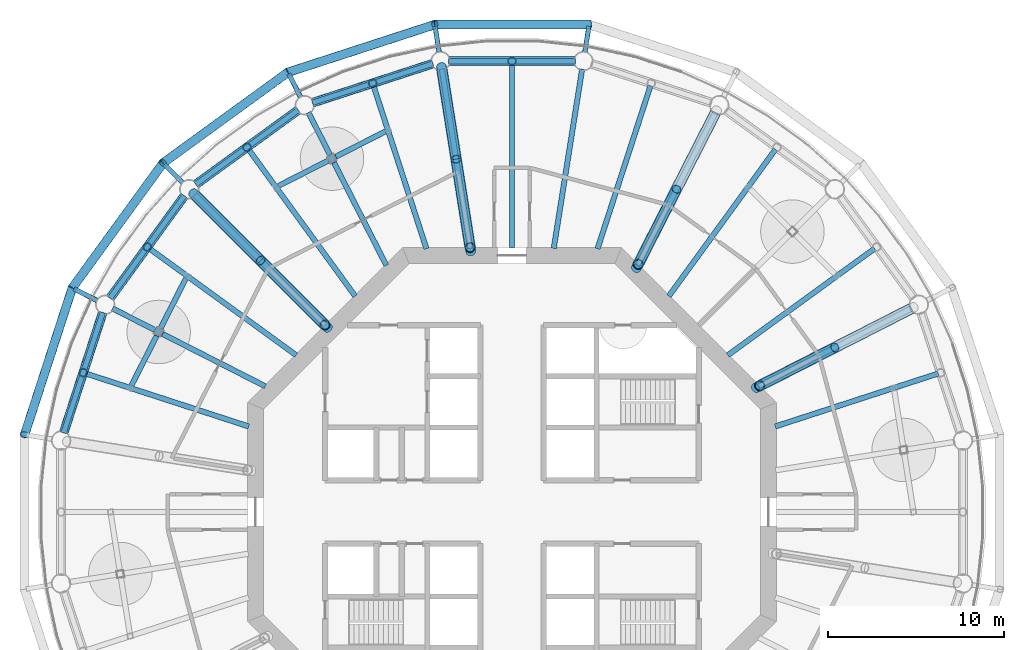
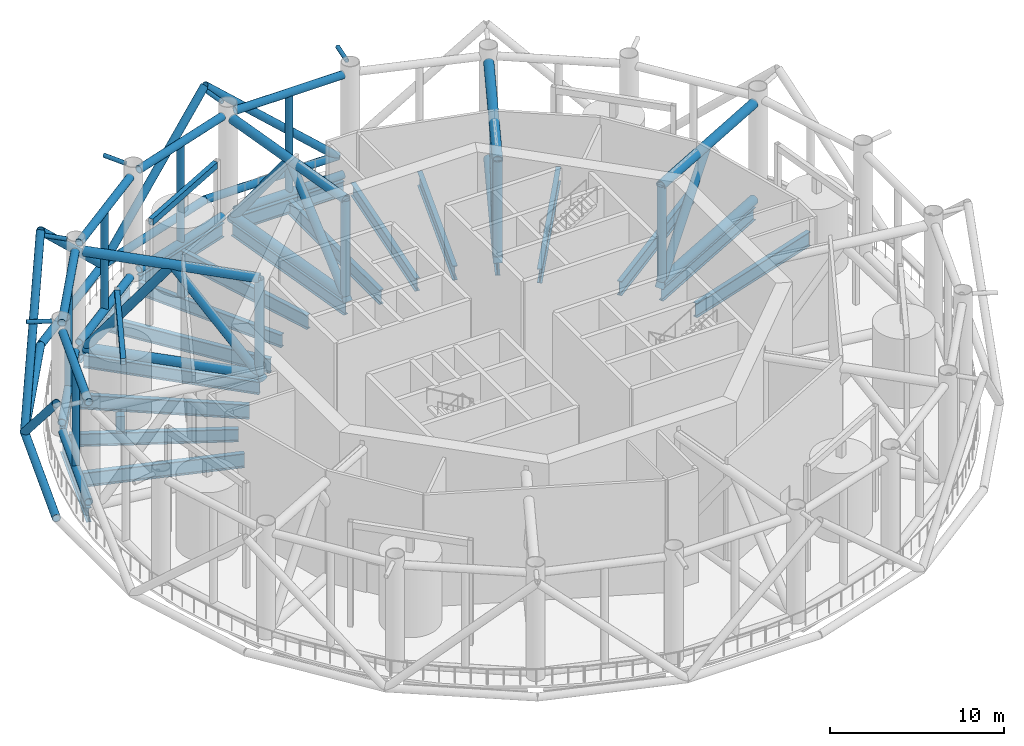
# One storey, part 9 of 22: 50 members, 23 beams.
"""IFC4 building model written with IfcOpenShell, lengths in metres."""

from ifc_helpers import new_model, si_unit, direction, frame, origin, origin_2d, place, context, subcontext, project, spatial, rectangle, hollow_rectangle, circle, hollow_circle, i_section, extrude, material, material_profile, profile_set, type_object, element, save


model = new_model("IFC4")

# Units and contexts
model_context = context("Model", 3, precision=1e-05, world=origin(), true_north=direction((0.0, 1.0)))
body_context = subcontext(model_context, "Body", "Model", "MODEL_VIEW")
ifc_project = project(units=[si_unit("LENGTHUNIT", "METRE"), si_unit("AREAUNIT", "SQUARE_METRE"), si_unit("VOLUMEUNIT", "CUBIC_METRE"), si_unit("PLANEANGLEUNIT", "RADIAN"), si_unit("MASSUNIT", "GRAM", prefix="KILO")], contexts=[model_context])

# Site, building, storey
site_placement = place(None, origin())
site = spatial("IfcSite", under=ifc_project, at=site_placement, CompositionType="ELEMENT")
building_placement = place(site_placement, origin())
building = spatial("IfcBuilding", under=site, at=building_placement, Name="Entoto Ring Tower", CompositionType="ELEMENT")
storey_placement = place(building_placement, frame((0.0, 0.0, 230.0)))
storey = spatial("IfcBuildingStorey", under=building, at=storey_placement, Name="L53", CompositionType="ELEMENT", Elevation=230.0)

# Members
ifc_material_1 = material(Name="Steel S355", Category="steel")
ifc_material_profile_1 = material_profile(ifc_material_1, hollow_circle(Radius=0.25390625, WallThickness=0.02490234375, at=origin_2d()), Name="CHS 508 x 25")
ifc_material_2 = material(Name="Concrete C60/75", Category="concrete")
ifc_material_profile_2 = material_profile(ifc_material_2, circle(Radius=0.22900390625, at=origin_2d()), Name="Concrete C60/75 infill")
ifc_profile_set_1 = profile_set([ifc_material_profile_1, ifc_material_profile_2], Name="Steel S355")
member_type_1 = type_object("IfcMemberType", Name="Diagrid diagonal 508 x 25 concrete-filled tube", PredefinedType="BRACE", material=ifc_profile_set_1)
for number, where, z_axis, x_axis, name in (
    (1, (94.380126953125, 107.6552734375, 0.0), (-0.738422225603, 0.0, 0.674338651373), (0.0, -1.0, 0.0), "DG5 module 17 06"),
    (2, (77.288330078125, 104.9482421875, 0.0), (0.702283739289, 0.228181506805, 0.674337266865), (-0.309011711991, 0.95105823263, 0.0), "DG5 module 17 07"),
    (3, (77.288330078125, 104.9482421875, 0.0), (-0.597406930213, -0.434030642959, 0.674331046821), (0.587775592458, -0.809024012567, 0.0), "DG5 module 17 08"),
    (4, (65.0517578125, 92.711669921875, 0.0), (0.434030642959, 0.597406930213, 0.674331046821), (-0.809024012567, 0.587775592458, 0.0), "DG5 module 17 09"),
    (5, (65.0517578125, 92.711669921875, 0.0), (-0.228181506805, -0.702283739289, 0.674337266865), (0.95105823263, -0.309011711991, 0.0), "DG5 module 17 10"),
):
    element("IfcMember", number, at=place(storey_placement, frame(where, z_axis=z_axis, x_axis=x_axis)), inside=storey, type_object=member_type_1, Name=name, PredefinedType="BRACE", context=body_context, shape_type="SweptSolid", body=[
        extrude(hollow_circle(Radius=0.25390625, WallThickness=0.02490234375, at=origin_2d()), origin(), (0.0, 0.0, 1.0), 11.863525390625),
    ])
ifc_material_3 = material(Name="Steel S355", Category="steel")
ifc_material_profile_3 = material_profile(ifc_material_3, hollow_circle(Radius=0.136474609375, WallThickness=0.012451171875, at=origin_2d()), Name="CHS 273 x 12.5")
ifc_material_4 = material(Name="Concrete C60/75", Category="concrete")
ifc_material_profile_4 = material_profile(ifc_material_4, circle(Radius=0.1240234375, at=origin_2d()), Name="Concrete C60/75 infill")
ifc_profile_set_2 = profile_set([ifc_material_profile_3, ifc_material_profile_4], Name="Steel S355")
member_type_2 = type_object("IfcMemberType", Name="Diagrid node strut 273 x 12.5", PredefinedType="STRUT", material=ifc_profile_set_2)
for number, where, z_axis, x_axis, name in (
    (6, (94.1318359375, 106.087646484375, 7.71337890625), (0.156459963354, 0.987684301722, 0.0), (-0.987684301722, 0.156459963354, 0.0), "DS2 strut ring 17 04"),
    (7, (85.8681640625, 106.087646484375, 7.71337890625), (-0.156459963354, 0.987684301722, 0.0), (-0.987684301722, -0.156459963354, 0.0), "DS2 strut ring 17 05"),
):
    element("IfcMember", number, at=place(storey_placement, frame(where, z_axis=z_axis, x_axis=x_axis)), inside=storey, type_object=member_type_2, Name=name, PredefinedType="STRUT", context=body_context, shape_type="SweptSolid", body=[
        extrude(hollow_circle(Radius=0.136474609375, WallThickness=0.012451171875, at=origin_2d()), origin(), (0.0, 0.0, 1.0), 1.487060546875),
    ])
for number, where, z_axis, x_axis, name in (
    (8, (78.0087890625, 103.533935546875, 7.71337890625), (-0.453898730756, 0.891053276869, 0.0), (-0.891053276869, -0.453898730756, 0.0), "DS2 strut ring 17 06"),
    (9, (71.323486328125, 98.676513671875, 7.71337890625), (-0.707106781187, 0.707106781187, 0.0), (-0.707106781187, -0.707106781187, 0.0), "DS2 strut ring 17 07"),
    (10, (66.466064453125, 91.9912109375, 7.71337890625), (-0.891053276869, 0.453898730756, 0.0), (-0.453898730756, -0.891053276869, 0.0), "DS2 strut ring 17 08"),
):
    element("IfcMember", number, at=place(storey_placement, frame(where, z_axis=z_axis, x_axis=x_axis)), inside=storey, type_object=member_type_2, Name=name, PredefinedType="STRUT", context=body_context, shape_type="SweptSolid", body=[
        extrude(hollow_circle(Radius=0.136474609375, WallThickness=0.012451171875, at=origin_2d()), origin(), (0.0, 0.0, 1.0), 1.4873046875),
    ])
ifc_material_5 = material(Name="Steel S355", Category="steel")
ifc_material_profile_5 = material_profile(ifc_material_5, hollow_circle(Radius=0.25390625, WallThickness=0.030029296875, at=origin_2d()), Name="CHS 508 x 30")
ifc_material_6 = material(Name="Concrete C60/75", Category="concrete")
ifc_material_profile_6 = material_profile(ifc_material_6, circle(Radius=0.22412109375, at=origin_2d()), Name="Concrete C60/75 infill")
ifc_profile_set_3 = profile_set([ifc_material_profile_5, ifc_material_profile_6], Name="Steel S355")
member_type_3 = type_object("IfcMemberType", Name="Diagrid ring beam 508 x 30", PredefinedType="CHORD", material=ifc_profile_set_3)
member_1_placement = place(storey_placement, frame((94.4404296875, 107.6552734375, 0.0), z_axis=(-1.0, 0.0, 0.0), x_axis=(0.0, -1.0, 0.0)))
element("IfcMember", 11, at=member_1_placement, inside=storey, type_object=member_type_3, Name="DR2 ring 16 05", PredefinedType="CHORD", context=body_context, shape_type="SweptSolid", body=[
    extrude(hollow_circle(Radius=0.25390625, WallThickness=0.030029296875, at=origin_2d()), origin(), (0.0, 0.0, 1.0), 8.880859375),
])
for number, where, z_axis, x_axis, name in (
    (12, (85.677001953125, 107.673828125, 0.0), (-0.951061338755, -0.309002151976, 0.0), (0.309002151976, -0.951061338755, 0.0), "DR2 ring 16 06"),
    (13, (77.3369140625, 104.983642578125, 0.0), (-0.809012987705, -0.587790766961, 0.0), (0.587790766961, -0.809012987705, 0.0), "DR2 ring 16 07"),
    (14, (70.236328125, 99.84765625, 0.0), (-0.587790766961, -0.809012987705, 0.0), (0.809012987705, -0.587790766961, 0.0), "DR2 ring 16 08"),
    (15, (65.0703125, 92.76904296875, 0.0), (-0.309002151976, -0.951061338755, 0.0), (0.951061338755, -0.309002151976, 0.0), "DR2 ring 16 09"),
):
    element("IfcMember", number, at=place(storey_placement, frame(where, z_axis=z_axis, x_axis=x_axis)), inside=storey, type_object=member_type_3, Name=name, PredefinedType="CHORD", context=body_context, shape_type="SweptSolid", body=[
        extrude(hollow_circle(Radius=0.25390625, WallThickness=0.030029296875, at=origin_2d()), origin(), (0.0, 0.0, 1.0), 8.880615234375),
    ])

# Beams
ifc_material_7 = material(Name="Steel S355", Category="steel")
ifc_material_profile_7 = material_profile(ifc_material_7, i_section(OverallWidth=0.300048828125, OverallDepth=1.0, WebThickness=0.01904296875, FlangeThickness=0.035888671875, FilletRadius=0.030029296875, at=origin_2d()), Name="HE 1000 B")
ifc_profile_set_4 = profile_set([ifc_material_profile_7], Name="Steel S355")
beam_type_1 = type_object("IfcBeamType", Name="Edge beam HE 1000 B", PredefinedType="SPANDREL", material=ifc_profile_set_4)
for number, where, z_axis, x_axis, name in (
    (16, (93.5947265625, 105.5810546875, -0.64990234375), (-1.0, 0.0, 0.0), (0.0, -1.0, 0.0), "Edge beam L53 05"),
    (17, (85.513916015625, 105.43994140625, -0.64990234375), (-0.951056775099, -0.309016197858, 0.0), (0.309016197858, -0.951056775099, 0.0), "Edge beam L53 06"),
):
    element("IfcBeam", number, at=place(storey_placement, frame(where, z_axis=z_axis, x_axis=x_axis)), inside=storey, type_object=beam_type_1, Name=name, PredefinedType="SPANDREL", context=body_context, shape_type="SweptSolid", body=[
        extrude(i_section(OverallWidth=0.300048828125, OverallDepth=1.0, WebThickness=0.01904296875, FlangeThickness=0.035888671875, FilletRadius=0.030029296875, at=origin_2d()), origin(), (0.0, 0.0, 1.0), 7.189453125),
    ])
for number, where, z_axis, x_axis, name in (
    (18, (77.8720703125, 102.80859375, -0.64990234375), (-0.809003255445, -0.587804161843, 0.0), (0.587804161843, -0.809003255445, 0.0), "Edge beam L53 07"),
    (19, (71.41748046875, 97.9443359375, -0.64990234375), (-0.587804161843, -0.809003255445, 0.0), (0.809003255445, -0.587804161843, 0.0), "Edge beam L53 08"),
):
    element("IfcBeam", number, at=place(storey_placement, frame(where, z_axis=z_axis, x_axis=x_axis)), inside=storey, type_object=beam_type_1, Name=name, PredefinedType="SPANDREL", context=body_context, shape_type="SweptSolid", body=[
        extrude(i_section(OverallWidth=0.300048828125, OverallDepth=1.0, WebThickness=0.01904296875, FlangeThickness=0.035888671875, FilletRadius=0.030029296875, at=origin_2d()), origin(), (0.0, 0.0, 1.0), 7.189697265625),
    ])
beam_1_placement = place(storey_placement, frame((66.78173828125, 91.32373046875, -0.64990234375), z_axis=(-0.309016197858, -0.951056775099, 0.0), x_axis=(0.951056775099, -0.309016197858, 0.0)))
element("IfcBeam", 20, at=beam_1_placement, inside=storey, type_object=beam_type_1, Name="Edge beam L53 09", PredefinedType="SPANDREL", context=body_context, shape_type="SweptSolid", body=[
    extrude(i_section(OverallWidth=0.300048828125, OverallDepth=1.0, WebThickness=0.01904296875, FlangeThickness=0.035888671875, FilletRadius=0.030029296875, at=origin_2d()), origin(), (0.0, 0.0, 1.0), 7.189453125),
])

# Members
ifc_material_8 = material(Name="Steel S355", Category="steel")
ifc_material_profile_8 = material_profile(ifc_material_8, hollow_circle(Radius=0.304931640625, WallThickness=0.030029296875, at=origin_2d()), Name="CHS 610 x 30")
ifc_material_9 = material(Name="Concrete C60/75", Category="concrete")
ifc_material_profile_9 = material_profile(ifc_material_9, circle(Radius=0.27490234375, at=origin_2d()), Name="Concrete C60/75 infill")
ifc_profile_set_5 = profile_set([ifc_material_profile_8, ifc_material_profile_9], Name="Steel S355")
member_type_4 = type_object("IfcMemberType", Name="Outrigger chord 610 x 30", PredefinedType="CHORD", material=ifc_profile_set_5)
for number, where, z_axis, x_axis, name in (
    (21, (103.94677734375, 87.106201171875, 0.304931640625), (0.891006635857, 0.453990280577, 0.0), (-0.453990280577, 0.891006635857, 0.0), "OR1B L53 bottom 01"),
    (22, (103.94677734375, 87.106201171875, 7.044921875), (0.891006635857, 0.453990280577, 0.0), (-0.453990280577, 0.891006635857, 0.0), "OR1B L53 top 01"),
    (23, (97.106201171875, 93.94677734375, 0.304931640625), (0.453990280577, 0.891006635857, 0.0), (-0.891006635857, 0.453990280577, 0.0), "OR1B L53 bottom 02"),
    (24, (97.106201171875, 93.94677734375, 7.044921875), (0.453990280577, 0.891006635857, 0.0), (-0.891006635857, 0.453990280577, 0.0), "OR1B L53 top 02"),
):
    element("IfcMember", number, at=place(storey_placement, frame(where, z_axis=z_axis, x_axis=x_axis)), inside=storey, type_object=member_type_4, Name=name, PredefinedType="CHORD", context=body_context, shape_type="SweptSolid", body=[
        extrude(hollow_circle(Radius=0.304931640625, WallThickness=0.030029296875, at=origin_2d()), origin(), (0.0, 0.0, 1.0), 9.809326171875),
    ])
for number, where, z_axis, x_axis, name in (
    (25, (87.635009765625, 94.9326171875, 0.304931640625), (-0.156440099565, 0.987687448158, 0.0), (-0.987687448158, -0.156440099565, 0.0), "OR1B L53 bottom 03"),
    (26, (87.635009765625, 94.9326171875, 7.044921875), (-0.156440099565, 0.987687448158, 0.0), (-0.987687448158, -0.156440099565, 0.0), "OR1B L53 top 03"),
):
    element("IfcMember", number, at=place(storey_placement, frame(where, z_axis=z_axis, x_axis=x_axis)), inside=storey, type_object=member_type_4, Name=name, PredefinedType="CHORD", context=body_context, shape_type="SweptSolid", body=[
        extrude(hollow_circle(Radius=0.304931640625, WallThickness=0.030029296875, at=origin_2d()), origin(), (0.0, 0.0, 1.0), 10.34375),
    ])
for number, where, z_axis, x_axis, name in (
    (27, (79.407470703125, 90.592529296875, 0.304931640625), (-0.707106781187, 0.707106781187, 0.0), (-0.707106781187, -0.707106781187, 0.0), "OR1B L53 bottom 04"),
    (28, (79.407470703125, 90.592529296875, 7.044921875), (-0.707106781187, 0.707106781187, 0.0), (-0.707106781187, -0.707106781187, 0.0), "OR1B L53 top 04"),
):
    element("IfcMember", number, at=place(storey_placement, frame(where, z_axis=z_axis, x_axis=x_axis)), inside=storey, type_object=member_type_4, Name=name, PredefinedType="CHORD", context=body_context, shape_type="SweptSolid", body=[
        extrude(hollow_circle(Radius=0.304931640625, WallThickness=0.030029296875, at=origin_2d()), origin(), (0.0, 0.0, 1.0), 10.482421875),
    ])
ifc_material_10 = material(Name="Steel S355", Category="steel")
ifc_material_profile_10 = material_profile(ifc_material_10, hollow_circle(Radius=0.279541015625, WallThickness=0.031982421875, at=origin_2d()), Name="CHS 559 x 32")
ifc_material_11 = material(Name="Concrete C60/75", Category="concrete")
ifc_material_profile_11 = material_profile(ifc_material_11, circle(Radius=0.24755859375, at=origin_2d()), Name="Concrete C60/75 infill")
ifc_profile_set_6 = profile_set([ifc_material_profile_10, ifc_material_profile_11], Name="Steel S355")
member_type_5 = type_object("IfcMemberType", Name="Outrigger diagonal 559 x 32", PredefinedType="BRACE", material=ifc_profile_set_6)
for number, where, z_axis, x_axis, name in (
    (29, (103.825439453125, 87.04443359375, -0.05419921875), (0.516100988685, 0.262956397277, 0.815164831558), (-0.453976531921, 0.891013641009, 0.0), "OR2 L53 01 1"),
    (30, (97.04443359375, 93.825439453125, -0.05419921875), (0.262956397277, 0.516100988685, 0.815164831558), (-0.891013641009, 0.453976531921, 0.0), "OR2 L53 02 1"),
):
    element("IfcMember", number, at=place(storey_placement, frame(where, z_axis=z_axis, x_axis=x_axis)), inside=storey, type_object=member_type_5, Name=name, PredefinedType="BRACE", context=body_context, shape_type="SweptSolid", body=[
        extrude(hollow_circle(Radius=0.279541015625, WallThickness=0.031982421875, at=origin_2d()), origin(), (0.0, 0.0, 1.0), 8.708740234375),
    ])
member_2_placement = place(storey_placement, frame((87.66162109375, 94.763916015625, -0.01220703125), z_axis=(-0.094168980477, 0.594598798703, 0.79848886761), x_axis=(-0.987689936286, -0.156424389909, 0.0)))
element("IfcMember", 31, at=member_2_placement, inside=storey, type_object=member_type_5, Name="OR2 L53 03 1", PredefinedType="BRACE", context=body_context, shape_type="SweptSolid", body=[
    extrude(hollow_circle(Radius=0.279541015625, WallThickness=0.031982421875, at=origin_2d()), origin(), (0.0, 0.0, 1.0), 8.838134765625),
])
member_3_placement = place(storey_placement, frame((86.829345703125, 100.01904296875, 7.044921875), z_axis=(-0.094182599771, 0.594591587458, -0.798492631165), x_axis=(-0.987686147631, -0.156448310241, 0.0)))
element("IfcMember", 32, at=member_3_placement, inside=storey, type_object=member_type_5, Name="OR2 L53 03 2", PredefinedType="BRACE", context=body_context, shape_type="SweptSolid", body=[
    extrude(hollow_circle(Radius=0.279541015625, WallThickness=0.031982421875, at=origin_2d()), origin(), (0.0, 0.0, 1.0), 8.83154296875),
])
for number, where, z_axis, x_axis, name in (
    (33, (79.558837890625, 90.441162109375, 0.00048828125), (-0.430638135841, 0.430638135841, 0.793159247515), (-0.707106781187, -0.707106781187, 0.0), "OR2 L53 04 1"),
    (34, (75.734130859375, 94.265869140625, 7.044921875), (-0.430638135841, 0.430638135841, -0.793159247515), (-0.707106781187, -0.707106781187, 0.0), "OR2 L53 04 2"),
):
    element("IfcMember", number, at=place(storey_placement, frame(where, z_axis=z_axis, x_axis=x_axis)), inside=storey, type_object=member_type_5, Name=name, PredefinedType="BRACE", context=body_context, shape_type="SweptSolid", body=[
        extrude(hollow_circle(Radius=0.279541015625, WallThickness=0.031982421875, at=origin_2d()), origin(), (0.0, 0.0, 1.0), 8.881591796875),
    ])
ifc_material_12 = material(Name="Steel S355", Category="steel")
ifc_material_profile_12 = material_profile(ifc_material_12, hollow_circle(Radius=0.279541015625, WallThickness=0.031982421875, at=origin_2d()), Name="CHS 559 x 32")
ifc_material_13 = material(Name="Concrete C60/75", Category="concrete")
ifc_material_profile_13 = material_profile(ifc_material_13, circle(Radius=0.24755859375, at=origin_2d()), Name="Concrete C60/75 infill")
ifc_profile_set_7 = profile_set([ifc_material_profile_12, ifc_material_profile_13], Name="Steel S355")
member_type_6 = type_object("IfcMemberType", Name="Outrigger post 559 x 32", PredefinedType="POST", material=ifc_profile_set_7)
for number, where, z_axis, x_axis, name in (
    (35, (104.052978515625, 87.160400390625, 0.304931640625), (0.0, 0.0, 1.0), (1.0, 0.0, 0.0), "OR3A L53 01"),
    (36, (97.160400390625, 94.052978515625, 0.304931640625), (0.0, 0.0, 1.0), (1.0, 0.0, 0.0), "OR3A L53 02"),
    (37, (87.624267578125, 95.0, 0.304931640625), (0.0, 0.0, 1.0), (1.0, 0.0, 0.0), "OR3A L53 03"),
    (38, (79.393310546875, 90.606689453125, 0.304931640625), (0.0, 0.0, 1.0), (1.0, 0.0, 0.0), "OR3A L53 04"),
):
    element("IfcMember", number, at=place(storey_placement, frame(where, z_axis=z_axis, x_axis=x_axis)), inside=storey, type_object=member_type_6, Name=name, PredefinedType="POST", context=body_context, shape_type="SweptSolid", body=[
        extrude(hollow_circle(Radius=0.279541015625, WallThickness=0.031982421875, at=origin_2d()), origin(), (0.0, 0.0, 1.0), 6.739990234375),
    ])

# Beams
ifc_material_14 = material(Name="Steel S355", Category="steel")
ifc_material_profile_14 = material_profile(ifc_material_14, i_section(OverallWidth=0.300048828125, OverallDepth=0.89990234375, WebThickness=0.0185546875, FlangeThickness=0.034912109375, FilletRadius=0.030029296875, at=origin_2d()), Name="HE 900 B")
ifc_profile_set_8 = profile_set([ifc_material_profile_14], Name="Steel S355")
beam_type_2 = type_object("IfcBeamType", Name="Primary floor beam HE 900 B", PredefinedType="BEAM", material=ifc_profile_set_8)
for number, where, z_axis, x_axis, name in (
    (39, (103.99169921875, 87.129150390625, -0.60009765625), (0.891002383468, 0.453998626269, 0.0), (-0.453998626269, 0.891002383468, 0.0), "Primary L53 R02"),
    (40, (97.129150390625, 93.99169921875, -0.60009765625), (0.453998626269, 0.891002383468, 0.0), (-0.891002383468, 0.453998626269, 0.0), "Primary L53 R04"),
):
    element("IfcBeam", number, at=place(storey_placement, frame(where, z_axis=z_axis, x_axis=x_axis)), inside=storey, type_object=beam_type_2, Name=name, PredefinedType="BEAM", context=body_context, shape_type="SweptSolid", body=[
        extrude(i_section(OverallWidth=0.300048828125, OverallDepth=0.89990234375, WebThickness=0.0185546875, FlangeThickness=0.034912109375, FilletRadius=0.030029296875, at=origin_2d()), origin(), (0.0, 0.0, 1.0), 9.73974609375),
    ])
for number, where, z_axis, x_axis, name in (
    (41, (92.368896484375, 94.956787109375, -0.60009765625), (0.156440910745, 0.987687319674, 0.0), (-0.987687319674, 0.156440910745, 0.0), "Primary L53 R05"),
    (42, (87.631103515625, 94.956787109375, -0.60009765625), (-0.156440910745, 0.987687319674, 0.0), (-0.987687319674, -0.156440910745, 0.0), "Primary L53 R06"),
):
    element("IfcBeam", number, at=place(storey_placement, frame(where, z_axis=z_axis, x_axis=x_axis)), inside=storey, type_object=beam_type_2, Name=name, PredefinedType="BEAM", context=body_context, shape_type="SweptSolid", body=[
        extrude(i_section(OverallWidth=0.300048828125, OverallDepth=0.89990234375, WebThickness=0.0185546875, FlangeThickness=0.034912109375, FilletRadius=0.030029296875, at=origin_2d()), origin(), (0.0, 0.0, 1.0), 10.2998046875),
    ])
beam_2_placement = place(storey_placement, frame((82.870849609375, 93.99169921875, -0.60009765625), z_axis=(-0.453998626269, 0.891002383468, 0.0), x_axis=(-0.891002383468, -0.453998626269, 0.0)))
element("IfcBeam", 43, at=beam_2_placement, inside=storey, type_object=beam_type_2, Name="Primary L53 R07", PredefinedType="BEAM", context=body_context, shape_type="SweptSolid", body=[
    extrude(i_section(OverallWidth=0.300048828125, OverallDepth=0.89990234375, WebThickness=0.0185546875, FlangeThickness=0.034912109375, FilletRadius=0.030029296875, at=origin_2d()), origin(), (0.0, 0.0, 1.0), 9.73974609375),
])
beam_3_placement = place(storey_placement, frame((79.407470703125, 90.592529296875, -0.60009765625), z_axis=(-0.707106781187, 0.707106781187, 0.0), x_axis=(-0.707106781187, -0.707106781187, 0.0)))
element("IfcBeam", 44, at=beam_3_placement, inside=storey, type_object=beam_type_2, Name="Primary L53 R08", PredefinedType="BEAM", context=body_context, shape_type="SweptSolid", body=[
    extrude(i_section(OverallWidth=0.300048828125, OverallDepth=0.89990234375, WebThickness=0.0185546875, FlangeThickness=0.034912109375, FilletRadius=0.030029296875, at=origin_2d()), origin(), (0.0, 0.0, 1.0), 10.462890625),
])
beam_4_placement = place(storey_placement, frame((76.00830078125, 87.129150390625, -0.60009765625), z_axis=(-0.891002383468, 0.453998626269, 0.0), x_axis=(-0.453998626269, -0.891002383468, 0.0)))
element("IfcBeam", 45, at=beam_4_placement, inside=storey, type_object=beam_type_2, Name="Primary L53 R09", PredefinedType="BEAM", context=body_context, shape_type="SweptSolid", body=[
    extrude(i_section(OverallWidth=0.300048828125, OverallDepth=0.89990234375, WebThickness=0.0185546875, FlangeThickness=0.034912109375, FilletRadius=0.030029296875, at=origin_2d()), origin(), (0.0, 0.0, 1.0), 9.73974609375),
])

# Members
ifc_material_15 = material(Name="Steel S355", Category="steel")
ifc_material_profile_15 = material_profile(ifc_material_15, hollow_circle(Radius=0.25390625, WallThickness=0.030029296875, at=origin_2d()), Name="CHS 508 x 30")
ifc_material_16 = material(Name="Concrete C60/75", Category="concrete")
ifc_material_profile_16 = material_profile(ifc_material_16, circle(Radius=0.22412109375, at=origin_2d()), Name="Concrete C60/75 infill")
ifc_profile_set_9 = profile_set([ifc_material_profile_15, ifc_material_profile_16], Name="Steel S355")
member_type_7 = type_object("IfcMemberType", Name="Ring truss chord 508 x 30", PredefinedType="CHORD", material=ifc_profile_set_9)
for number, where, z_axis, x_axis, name in (
    (46, (93.583984375, 105.5810546875, 0.25390625), (-1.0, 0.0, 0.0), (0.0, -1.0, 0.0), "BT1 L53 bottom 05"),
    (47, (93.583984375, 105.5810546875, 7.236083984375), (-1.0, 0.0, 0.0), (0.0, -1.0, 0.0), "BT1 L53 top 05"),
):
    element("IfcMember", number, at=place(storey_placement, frame(where, z_axis=z_axis, x_axis=x_axis)), inside=storey, type_object=member_type_7, Name=name, PredefinedType="CHORD", context=body_context, shape_type="SweptSolid", body=[
        extrude(hollow_circle(Radius=0.25390625, WallThickness=0.030029296875, at=origin_2d()), origin(), (0.0, 0.0, 1.0), 7.16796875),
    ])
for number, where, z_axis, x_axis, name in (
    (48, (85.50341796875, 105.4365234375, 0.25390625), (-0.951060598025, -0.30900443182, 0.0), (0.30900443182, -0.951060598025, 0.0), "BT1 L53 bottom 06"),
    (49, (85.50341796875, 105.4365234375, 7.236083984375), (-0.951060598025, -0.30900443182, 0.0), (0.30900443182, -0.951060598025, 0.0), "BT1 L53 top 06"),
    (50, (77.86328125, 102.80224609375, 0.25390625), (-0.809014372494, -0.587788860985, 0.0), (0.587788860985, -0.809014372494, 0.0), "BT1 L53 bottom 07"),
    (51, (77.86328125, 102.80224609375, 7.236083984375), (-0.809014372494, -0.587788860985, 0.0), (0.587788860985, -0.809014372494, 0.0), "BT1 L53 top 07"),
    (52, (71.410888671875, 97.935546875, 0.25390625), (-0.587788860985, -0.809014372494, 0.0), (0.809014372494, -0.587788860985, 0.0), "BT1 L53 bottom 08"),
    (53, (71.410888671875, 97.935546875, 7.236083984375), (-0.587788860985, -0.809014372494, 0.0), (0.809014372494, -0.587788860985, 0.0), "BT1 L53 top 08"),
    (54, (66.7783203125, 91.3134765625, 0.25390625), (-0.30900443182, -0.951060598025, 0.0), (0.951060598025, -0.30900443182, 0.0), "BT1 L53 bottom 09"),
    (55, (66.7783203125, 91.3134765625, 7.236083984375), (-0.30900443182, -0.951060598025, 0.0), (0.951060598025, -0.30900443182, 0.0), "BT1 L53 top 09"),
):
    element("IfcMember", number, at=place(storey_placement, frame(where, z_axis=z_axis, x_axis=x_axis)), inside=storey, type_object=member_type_7, Name=name, PredefinedType="CHORD", context=body_context, shape_type="SweptSolid", body=[
        extrude(hollow_circle(Radius=0.25390625, WallThickness=0.030029296875, at=origin_2d()), origin(), (0.0, 0.0, 1.0), 7.167724609375),
    ])
ifc_material_17 = material(Name="Steel S355", Category="steel")
ifc_material_profile_17 = material_profile(ifc_material_17, hollow_circle(Radius=0.228515625, WallThickness=0.02001953125, at=origin_2d()), Name="CHS 457 x 20")
ifc_material_18 = material(Name="Concrete C60/75", Category="concrete")
ifc_material_profile_18 = material_profile(ifc_material_18, circle(Radius=0.20849609375, at=origin_2d()), Name="Concrete C60/75 infill")
ifc_profile_set_10 = profile_set([ifc_material_profile_17, ifc_material_profile_18], Name="Steel S355")
member_type_8 = type_object("IfcMemberType", Name="Ring truss post 457 x 20", PredefinedType="POST", material=ifc_profile_set_10)
for number, where, z_axis, x_axis, name in (
    (56, (90.0, 105.5810546875, 0.25390625), (0.0, 0.0, 1.0), (1.0, 0.0, 0.0), "BT3 L53 05"),
    (57, (82.094970703125, 104.3291015625, 0.25390625), (0.0, 0.0, 1.0), (1.0, 0.0, 0.0), "BT3 L53 06"),
    (58, (74.9638671875, 100.695556640625, 0.25390625), (0.0, 0.0, 1.0), (1.0, 0.0, 0.0), "BT3 L53 07"),
    (59, (69.304443359375, 95.0361328125, 0.25390625), (0.0, 0.0, 1.0), (1.0, 0.0, 0.0), "BT3 L53 08"),
    (60, (65.6708984375, 87.905029296875, 0.25390625), (0.0, 0.0, 1.0), (1.0, 0.0, 0.0), "BT3 L53 09"),
):
    element("IfcMember", number, at=place(storey_placement, frame(where, z_axis=z_axis, x_axis=x_axis)), inside=storey, type_object=member_type_8, Name=name, PredefinedType="POST", context=body_context, shape_type="SweptSolid", body=[
        extrude(hollow_circle(Radius=0.228515625, WallThickness=0.02001953125, at=origin_2d()), origin(), (0.0, 0.0, 1.0), 6.982177734375),
    ])

# Beams
ifc_material_19 = material(Name="Steel S355", Category="steel")
ifc_material_profile_19 = material_profile(ifc_material_19, i_section(OverallWidth=0.300048828125, OverallDepth=1.0, WebThickness=0.01904296875, FlangeThickness=0.035888671875, FilletRadius=0.030029296875, at=origin_2d()), Name="HE 1000 B")
ifc_profile_set_11 = profile_set([ifc_material_profile_19], Name="Steel S355")
beam_type_3 = type_object("IfcBeamType", Name="Secondary floor beam HE 1000 B", PredefinedType="JOIST", material=ifc_profile_set_11)
beam_5_placement = place(storey_placement, frame((104.9345703125, 84.8525390625, -0.64990234375), z_axis=(0.951057672858, 0.309013434819, 0.0), x_axis=(-0.309013434819, 0.951057672858, 0.0)))
element("IfcBeam", 61, at=beam_5_placement, inside=storey, type_object=beam_type_3, Name="Secondary beam L53 01", PredefinedType="JOIST", context=body_context, shape_type="SweptSolid", body=[
    extrude(i_section(OverallWidth=0.300048828125, OverallDepth=1.0, WebThickness=0.01904296875, FlangeThickness=0.035888671875, FilletRadius=0.030029296875, at=origin_2d()), origin(), (0.0, 0.0, 1.0), 9.72802734375),
])
for number, where, z_axis, x_axis, name in (
    (62, (102.251220703125, 88.90087890625, -0.64990234375), (0.809012043981, 0.587792065864, 0.0), (-0.587792065864, 0.809012043981, 0.0), "Secondary beam L53 02"),
    (63, (98.90087890625, 92.251220703125, -0.64990234375), (0.587792065864, 0.809012043981, 0.0), (-0.809012043981, 0.587792065864, 0.0), "Secondary beam L53 03"),
):
    element("IfcBeam", number, at=place(storey_placement, frame(where, z_axis=z_axis, x_axis=x_axis)), inside=storey, type_object=beam_type_3, Name=name, PredefinedType="JOIST", context=body_context, shape_type="SweptSolid", body=[
        extrude(i_section(OverallWidth=0.300048828125, OverallDepth=1.0, WebThickness=0.01904296875, FlangeThickness=0.035888671875, FilletRadius=0.030029296875, at=origin_2d()), origin(), (0.0, 0.0, 1.0), 10.287841796875),
    ])
beam_6_placement = place(storey_placement, frame((94.8525390625, 94.9345703125, -0.64990234375), z_axis=(0.309013434819, 0.951057672858, 0.0), x_axis=(-0.951057672858, 0.309013434819, 0.0)))
element("IfcBeam", 64, at=beam_6_placement, inside=storey, type_object=beam_type_3, Name="Secondary beam L53 04", PredefinedType="JOIST", context=body_context, shape_type="SweptSolid", body=[
    extrude(i_section(OverallWidth=0.300048828125, OverallDepth=1.0, WebThickness=0.01904296875, FlangeThickness=0.035888671875, FilletRadius=0.030029296875, at=origin_2d()), origin(), (0.0, 0.0, 1.0), 9.72802734375),
])
beam_7_placement = place(storey_placement, frame((90.0, 94.97998046875, -0.64990234375), z_axis=(0.0, 1.0, 0.0), x_axis=(-1.0, 0.0, 0.0)))
element("IfcBeam", 65, at=beam_7_placement, inside=storey, type_object=beam_type_3, Name="Secondary beam L53 05", PredefinedType="JOIST", context=body_context, shape_type="SweptSolid", body=[
    extrude(i_section(OverallWidth=0.300048828125, OverallDepth=1.0, WebThickness=0.01904296875, FlangeThickness=0.035888671875, FilletRadius=0.030029296875, at=origin_2d()), origin(), (0.0, 0.0, 1.0), 10.451171875),
])
beam_8_placement = place(storey_placement, frame((85.1474609375, 94.9345703125, -0.64990234375), z_axis=(-0.309013434819, 0.951057672858, 0.0), x_axis=(-0.951057672858, -0.309013434819, 0.0)))
element("IfcBeam", 66, at=beam_8_placement, inside=storey, type_object=beam_type_3, Name="Secondary beam L53 06", PredefinedType="JOIST", context=body_context, shape_type="SweptSolid", body=[
    extrude(i_section(OverallWidth=0.300048828125, OverallDepth=1.0, WebThickness=0.01904296875, FlangeThickness=0.035888671875, FilletRadius=0.030029296875, at=origin_2d()), origin(), (0.0, 0.0, 1.0), 9.72802734375),
])
for number, where, z_axis, x_axis, name in (
    (67, (81.09912109375, 92.251220703125, -0.64990234375), (-0.587792065864, 0.809012043981, 0.0), (-0.809012043981, -0.587792065864, 0.0), "Secondary beam L53 07"),
    (68, (77.748779296875, 88.90087890625, -0.64990234375), (-0.809012043981, 0.587792065864, 0.0), (-0.587792065864, -0.809012043981, 0.0), "Secondary beam L53 08"),
):
    element("IfcBeam", number, at=place(storey_placement, frame(where, z_axis=z_axis, x_axis=x_axis)), inside=storey, type_object=beam_type_3, Name=name, PredefinedType="JOIST", context=body_context, shape_type="SweptSolid", body=[
        extrude(i_section(OverallWidth=0.300048828125, OverallDepth=1.0, WebThickness=0.01904296875, FlangeThickness=0.035888671875, FilletRadius=0.030029296875, at=origin_2d()), origin(), (0.0, 0.0, 1.0), 10.287841796875),
    ])
beam_9_placement = place(storey_placement, frame((75.0654296875, 84.8525390625, -0.64990234375), z_axis=(-0.951057672858, 0.309013434819, 0.0), x_axis=(-0.309013434819, -0.951057672858, 0.0)))
element("IfcBeam", 69, at=beam_9_placement, inside=storey, type_object=beam_type_3, Name="Secondary beam L53 09", PredefinedType="JOIST", context=body_context, shape_type="SweptSolid", body=[
    extrude(i_section(OverallWidth=0.300048828125, OverallDepth=1.0, WebThickness=0.01904296875, FlangeThickness=0.035888671875, FilletRadius=0.030029296875, at=origin_2d()), origin(), (0.0, 0.0, 1.0), 9.72802734375),
])

# Members
ifc_material_20 = material(Name="Steel S355", Category="steel")
ifc_material_profile_20 = material_profile(ifc_material_20, rectangle(XDim=0.5, YDim=0.5, at=origin_2d()), Name="Turbine base 500 x 500 mm steel pedestal")
ifc_profile_set_12 = profile_set([ifc_material_profile_20], Name="Steel S355")
member_type_9 = type_object("IfcMemberType", Name="Turbine base 500 x 500 mm steel pedestal", PredefinedType="POST", material=ifc_profile_set_12)
for number, where, z_axis, x_axis, name in (
    (70, (79.78515625, 100.047607421875, 0.0), (0.0, 0.0, 1.0), (-0.891006524188, -0.45399049974, 0.0), "TURBINE BASE 3"),
    (71, (69.952392578125, 90.21484375, 0.0), (0.0, 0.0, 1.0), (-0.45399049974, -0.891006524188, 0.0), "TURBINE BASE 4"),
):
    element("IfcMember", number, at=place(storey_placement, frame(where, z_axis=z_axis, x_axis=x_axis)), inside=storey, type_object=member_type_9, Name=name, PredefinedType="POST", context=body_context, shape_type="SweptSolid", body=[
        extrude(rectangle(XDim=0.5, YDim=0.5, at=origin_2d()), origin(), (0.0, 0.0, 1.0), 1.050048828125),
    ])

# Beams
ifc_material_21 = material(Name="Steel S355", Category="steel")
ifc_material_profile_21 = material_profile(ifc_material_21, hollow_rectangle(XDim=0.300048828125, YDim=0.449951171875, WallThickness=0.013916015625, at=origin_2d()), Name="Turbine frame beam 300 x 450 x 14 mm")
ifc_profile_set_13 = profile_set([ifc_material_profile_21], Name="Steel S355")
beam_type_4 = type_object("IfcBeamType", Name="Turbine frame beam 300 x 450 x 14 mm", PredefinedType="BEAM", material=ifc_profile_set_13)
for number, where, z_axis, x_axis, name in (
    (72, (82.826904296875, 101.597412109375, 7.125), (-0.891004291179, -0.453994882241, 0.0), (0.453994882241, -0.891004291179, 0.0), "TURBINE FRAME BEAM 3"),
    (73, (71.502197265625, 93.25634765625, 7.125), (-0.453994882241, -0.891004291179, 0.0), (0.891004291179, -0.453994882241, 0.0), "TURBINE FRAME BEAM 4"),
):
    element("IfcBeam", number, at=place(storey_placement, frame(where, z_axis=z_axis, x_axis=x_axis)), inside=storey, type_object=beam_type_4, Name=name, PredefinedType="BEAM", context=body_context, shape_type="SweptSolid", body=[
        extrude(hollow_rectangle(XDim=0.300048828125, YDim=0.449951171875, WallThickness=0.013916015625, at=origin_2d()), origin(), (0.0, 0.0, 1.0), 6.827392578125),
    ])

save(model, "model.ifc")
